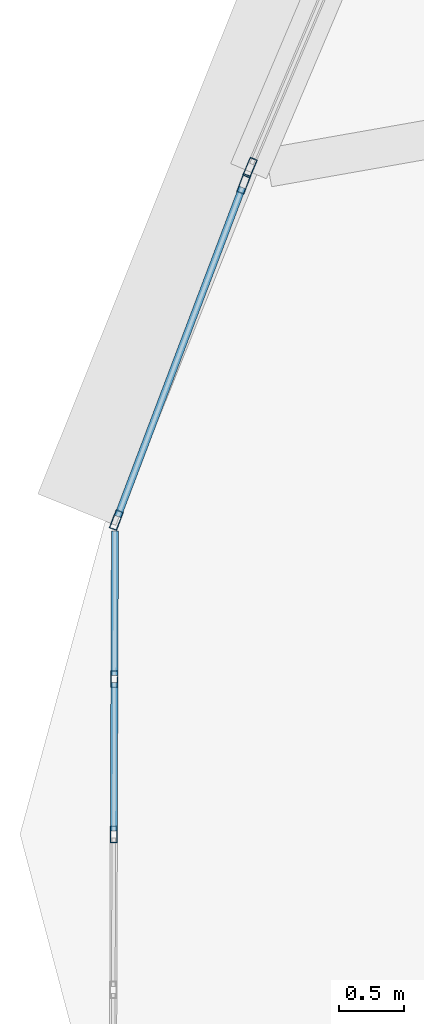
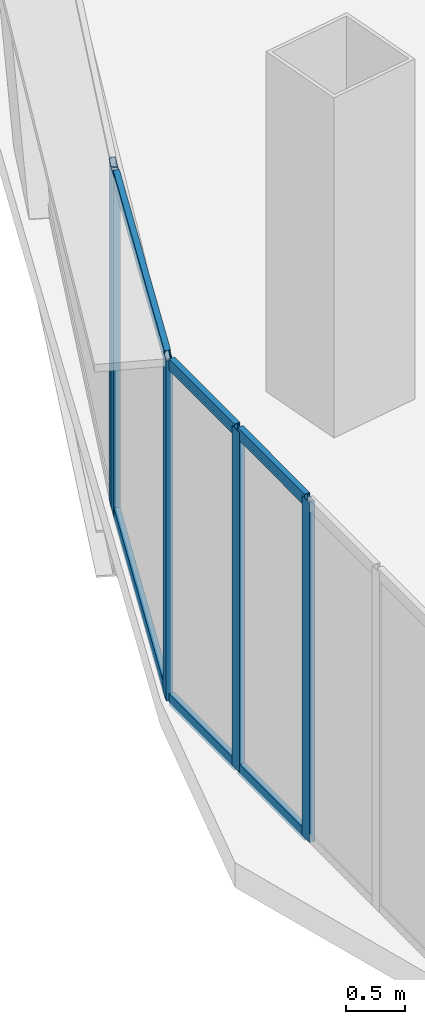
# One storey, part 4 of 40: 11 members, 3 elements without a shape of their own.
"""IFC4 building model written with IfcOpenShell, lengths in metres."""

from ifc_helpers import new_model, si_unit, direction, frame, origin, origin_2d, place, context, subcontext, project, spatial, hollow_rectangle, extrude, source, transform, mapped, material, layer, layer_set, material_profile, profile_set, type_object, element, aggregate, save


model = new_model("IFC4")

# Units and contexts
model_context = context("Model", 3, precision=1e-05, world=origin(), true_north=direction((0.0, 1.0)))
body_context = subcontext(model_context, "Body", "Model", "MODEL_VIEW")
ifc_project = project(units=[si_unit("LENGTHUNIT", "METRE"), si_unit("AREAUNIT", "SQUARE_METRE"), si_unit("VOLUMEUNIT", "CUBIC_METRE"), si_unit("PLANEANGLEUNIT", "RADIAN"), si_unit("MASSUNIT", "GRAM", prefix="KILO"), si_unit("THERMODYNAMICTEMPERATUREUNIT", "KELVIN"), si_unit("POWERUNIT", "WATT")], contexts=[model_context])

# Site, building, storey
site_placement = place(None, origin())
site = spatial("IfcSite", under=ifc_project, at=site_placement, CompositionType="ELEMENT")
building_placement = place(site_placement, origin())
building = spatial("IfcBuilding", under=site, at=building_placement, Name="Yunzhuo Pagoda Commons", CompositionType="ELEMENT")
storey_placement = place(building_placement, frame((0.0, 0.0, 180.9599609375)))
storey = spatial("IfcBuildingStorey", under=building, at=storey_placement, Name="L45", CompositionType="ELEMENT", Elevation=180.9599609375)

# Curtain wall, members
ifc_material = material(Name="Anodized aluminium 6063-T6", Category="aluminium")
ifc_layer_1 = layer(ifc_material, 0.1298828125)
ifc_layer_set_1 = layer_set([ifc_layer_1], Name="Anodized aluminium 6063-T6")
curtain_wall_type_1 = type_object("IfcCurtainWallType", Name="CW-VTX Rounded Corner Curtain Wall", PredefinedType="NOTDEFINED", material=ifc_layer_set_1)
curtain_wall_1_placement = place(storey_placement, origin())
curtain_wall_1 = element("IfcCurtainWall", 1, at=curtain_wall_1_placement, inside=storey, type_object=curtain_wall_type_1, Name="L45 curtain wall CW-L45-VTX1S1", PredefinedType="NOTDEFINED")
ifc_material_profile_1 = material_profile(ifc_material, hollow_rectangle(XDim=0.054931640625, YDim=0.1298828125, WallThickness=0.00341796875, at=origin_2d()), Name="Anodized aluminium 6063-T6")
ifc_profile_set_1 = profile_set([ifc_material_profile_1], Name="Anodized aluminium 6063-T6")
member_type_1 = type_object("IfcMemberType", Name="CW-VTX-M Mullion RHS 130x55x3.5", PredefinedType="MULLION", material=ifc_profile_set_1)
shared_shape_1 = source(origin(), body_context, "Body", "SweptSolid", [
    extrude(hollow_rectangle(XDim=0.054931640625, YDim=0.1298828125, WallThickness=0.00341796875, at=origin_2d()), origin(), (0.0, 0.0, 1.0), 3.5400390625),
])
member_1_placement = place(storey_placement, frame((9.27099609375, 23.1279296875, 0.0), z_axis=(0.0, 0.0, 1.0), x_axis=(0.99999359061, -0.003580326762, 0.0)))
member_1 = element("IfcMember", 2, at=member_1_placement, type_object=member_type_1, Name="CW mullion 2", PredefinedType="MULLION", context=body_context, shape_type="MappedRepresentation", body=[
    mapped(shared_shape_1, transform((0.0, 0.0, 0.0), scale=1.0)),
])
member_2_placement = place(storey_placement, frame((9.266845703125, 21.927001953125, 0.0), z_axis=(0.0, 0.0, 1.0), x_axis=(0.99999359061, -0.003580326762, 0.0)))
member_2 = element("IfcMember", 3, at=member_2_placement, type_object=member_type_1, Name="CW mullion 3", PredefinedType="MULLION", context=body_context, shape_type="MappedRepresentation", body=[
    mapped(shared_shape_1, transform((0.0, 0.0, 0.0), scale=1.0)),
])

# Curtain wall, member
ifc_layer_2 = layer(ifc_material, 0.14990234375)
ifc_layer_set_2 = layer_set([ifc_layer_2], Name="Anodized aluminium 6063-T6")
curtain_wall_type_2 = type_object("IfcCurtainWallType", Name="CW-MID Mid-Zone Ribbon Curtain Wall", PredefinedType="NOTDEFINED", material=ifc_layer_set_2)
curtain_wall_2_placement = place(storey_placement, origin())
curtain_wall_2 = element("IfcCurtainWall", 4, at=curtain_wall_2_placement, inside=storey, type_object=curtain_wall_type_2, Name="L45 curtain wall CW-L45-F3B4", PredefinedType="NOTDEFINED")
ifc_material_profile_2 = material_profile(ifc_material, hollow_rectangle(XDim=0.06005859375, YDim=0.14990234375, WallThickness=0.00390625, at=origin_2d()), Name="Anodized aluminium 6063-T6")
ifc_profile_set_2 = profile_set([ifc_material_profile_2], Name="Anodized aluminium 6063-T6")
member_type_2 = type_object("IfcMemberType", Name="CW-MID-M Mullion RHS 150x60x4", PredefinedType="MULLION", material=ifc_profile_set_2)
shared_shape_2 = source(origin(), body_context, "Body", "SweptSolid", [
    extrude(hollow_rectangle(XDim=0.06005859375, YDim=0.14990234375, WallThickness=0.00390625, at=origin_2d()), origin(), (0.0, 0.0, 1.0), 3.5400390625),
])
member_3_placement = place(storey_placement, frame((10.3193359375, 27.081298828125, 0.0), z_axis=(0.0, 0.0, 1.0), x_axis=(0.920515325194, -0.390706457693, 0.0)))
member_3 = element("IfcMember", 5, at=member_3_placement, type_object=member_type_2, Name="CW mullion 2", PredefinedType="MULLION", context=body_context, shape_type="MappedRepresentation", body=[
    mapped(shared_shape_2, transform((0.0, 0.0, 0.0), scale=1.0)),
])
aggregate(curtain_wall_2, [member_3])

# Curtain wall, members
curtain_wall_3_placement = place(storey_placement, origin())
curtain_wall_3 = element("IfcCurtainWall", 6, at=curtain_wall_3_placement, inside=storey, type_object=curtain_wall_type_2, Name="L45 curtain wall CW-L45-F3B5", PredefinedType="NOTDEFINED")
member_4_placement = place(storey_placement, frame((10.2705078125, 26.95556640625, 0.0), z_axis=(0.0, 0.0, 1.0), x_axis=(0.935148483493, -0.354256000401, 0.0)))
member_4 = element("IfcMember", 7, at=member_4_placement, type_object=member_type_2, Name="CW mullion 1", PredefinedType="MULLION", context=body_context, shape_type="MappedRepresentation", body=[
    mapped(shared_shape_2, transform((0.0, 0.0, 0.0), scale=1.0)),
])
member_5_placement = place(storey_placement, frame((9.2861328125, 24.35693359375, 0.0), z_axis=(0.0, 0.0, 1.0), x_axis=(0.935148483493, -0.354256000401, 0.0)))
member_5 = element("IfcMember", 8, at=member_5_placement, type_object=member_type_2, Name="CW mullion 2", PredefinedType="MULLION", context=body_context, shape_type="MappedRepresentation", body=[
    mapped(shared_shape_2, transform((0.0, 0.0, 0.0), scale=1.0)),
])
ifc_material_profile_3 = material_profile(ifc_material, hollow_rectangle(XDim=0.054931640625, YDim=0.1298828125, WallThickness=0.00341796875, at=origin_2d()), Name="Anodized aluminium 6063-T6")
ifc_profile_set_3 = profile_set([ifc_material_profile_3], Name="Anodized aluminium 6063-T6")
member_type_3 = type_object("IfcMemberType", Name="CW-MID-T Transom RHS 130x55x3.5", PredefinedType="USERDEFINED", material=ifc_profile_set_3)
shared_shape_3 = source(origin(), body_context, "Body", "SweptSolid", [
    extrude(hollow_rectangle(XDim=0.054931640625, YDim=0.1298828125, WallThickness=0.00341796875, at=origin_2d()), origin(), (0.0, 0.0, 1.0), 2.71875),
])
member_6_placement = place(storey_placement, frame((10.259765625, 26.927490234375, 0.027587890625), z_axis=(-0.354250859445, -0.935150430991, 0.0), x_axis=(0.935150430991, -0.354250859445, 0.0)))
member_6 = element("IfcMember", 9, at=member_6_placement, type_object=member_type_3, Name="CW transom 1.1", ObjectType="TRANSOM", PredefinedType="USERDEFINED", context=body_context, shape_type="MappedRepresentation", body=[
    mapped(shared_shape_3, transform((0.0, 0.0, 0.0), scale=1.0)),
])
member_7_placement = place(storey_placement, frame((10.259765625, 26.927490234375, 3.512451171875), z_axis=(-0.354250859445, -0.935150430991, 0.0), x_axis=(0.935150430991, -0.354250859445, 0.0)))
member_7 = element("IfcMember", 10, at=member_7_placement, type_object=member_type_3, Name="CW transom 1.2", ObjectType="TRANSOM", PredefinedType="USERDEFINED", context=body_context, shape_type="MappedRepresentation", body=[
    mapped(shared_shape_3, transform((0.0, 0.0, 0.0), scale=1.0)),
])
aggregate(curtain_wall_3, [member_4, member_5, member_6, member_7])

# Member
ifc_material_profile_4 = material_profile(ifc_material, hollow_rectangle(XDim=0.054931640625, YDim=0.1201171875, WallThickness=0.00341796875, at=origin_2d()), Name="Anodized aluminium 6063-T6")
ifc_profile_set_4 = profile_set([ifc_material_profile_4], Name="Anodized aluminium 6063-T6")
member_type_4 = type_object("IfcMemberType", Name="CW-VTX-T Transom RHS 120x55x3.5", PredefinedType="USERDEFINED", material=ifc_profile_set_4)
shared_shape_4 = source(origin(), body_context, "Body", "SweptSolid", [
    extrude(hollow_rectangle(XDim=0.054931640625, YDim=0.1201171875, WallThickness=0.00341796875, at=origin_2d()), origin(), (0.0, 0.0, 1.0), 1.118408203125),
])
member_8_placement = place(storey_placement, frame((9.275390625, 24.27392578125, 0.027587890625), z_axis=(-0.003710954583, -0.999993114384, 0.0), x_axis=(0.999993114384, -0.003710954583, 0.0)))
member_8 = element("IfcMember", 11, at=member_8_placement, type_object=member_type_4, Name="CW transom 1.1", ObjectType="TRANSOM", PredefinedType="USERDEFINED", context=body_context, shape_type="MappedRepresentation", body=[
    mapped(shared_shape_4, transform((0.0, 0.0, 0.0), scale=1.0)),
])

member_9_placement = place(storey_placement, frame((9.275390625, 24.27392578125, 3.512451171875), z_axis=(-0.003710954583, -0.999993114384, 0.0), x_axis=(0.999993114384, -0.003710954583, 0.0)))
member_9 = element("IfcMember", 12, at=member_9_placement, type_object=member_type_4, Name="CW transom 1.2", ObjectType="TRANSOM", PredefinedType="USERDEFINED", context=body_context, shape_type="MappedRepresentation", body=[
    mapped(shared_shape_4, transform((0.0, 0.0, 0.0), scale=1.0)),
])

shared_shape_5 = source(origin(), body_context, "Body", "SweptSolid", [
    extrude(hollow_rectangle(XDim=0.054931640625, YDim=0.1201171875, WallThickness=0.00341796875, at=origin_2d()), origin(), (0.0, 0.0, 1.0), 1.14599609375),
])
member_10_placement = place(storey_placement, frame((9.27099609375, 23.100341796875, 0.027587890625), z_axis=(-0.003621620902, -0.99999344191, 0.0), x_axis=(0.99999344191, -0.003621620902, 0.0)))
member_10 = element("IfcMember", 13, at=member_10_placement, type_object=member_type_4, Name="CW transom 2.1", ObjectType="TRANSOM", PredefinedType="USERDEFINED", context=body_context, shape_type="MappedRepresentation", body=[
    mapped(shared_shape_5, transform((0.0, 0.0, 0.0), scale=1.0)),
])

member_11_placement = place(storey_placement, frame((9.27099609375, 23.100341796875, 3.512451171875), z_axis=(-0.003621620902, -0.99999344191, 0.0), x_axis=(0.99999344191, -0.003621620902, 0.0)))
member_11 = element("IfcMember", 14, at=member_11_placement, type_object=member_type_4, Name="CW transom 2.2", ObjectType="TRANSOM", PredefinedType="USERDEFINED", context=body_context, shape_type="MappedRepresentation", body=[
    mapped(shared_shape_5, transform((0.0, 0.0, 0.0), scale=1.0)),
])

aggregate(curtain_wall_1, [member_1, member_2, member_8, member_9, member_10, member_11])

save(model, "model.ifc")
